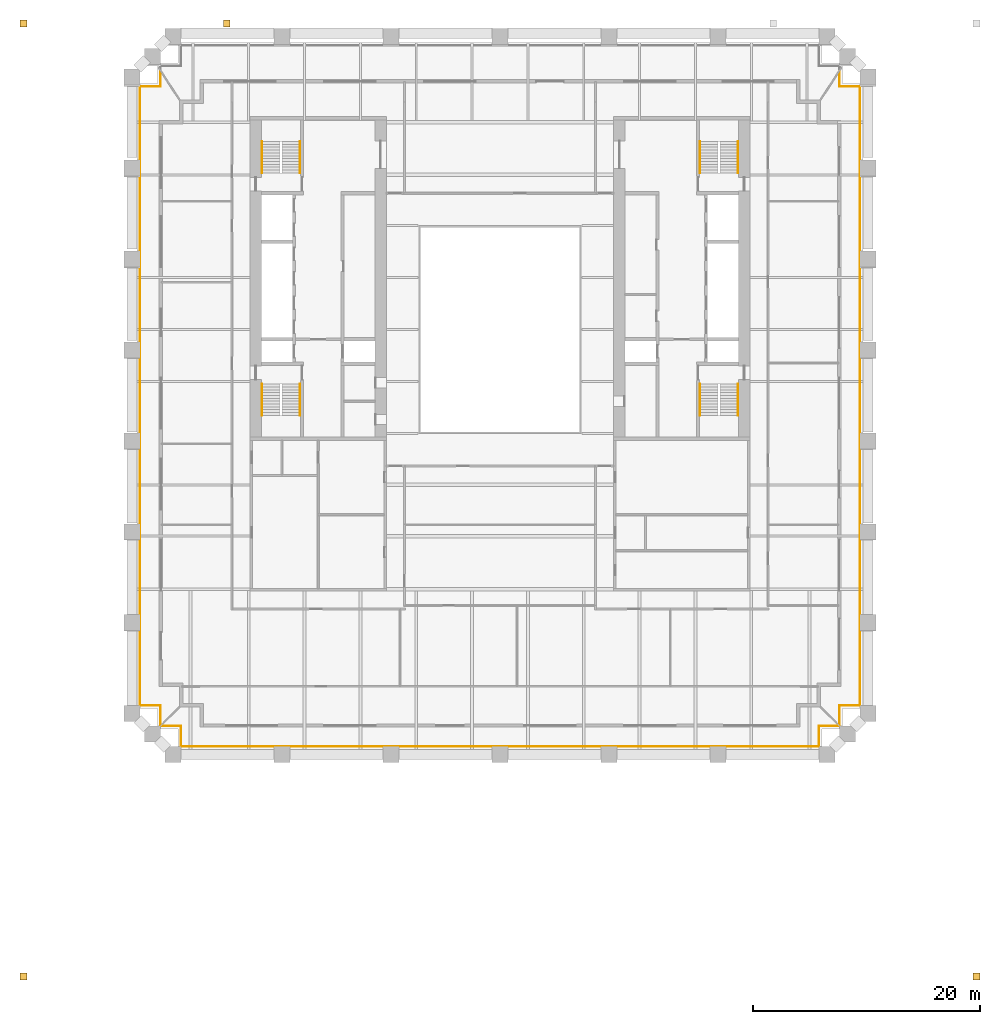
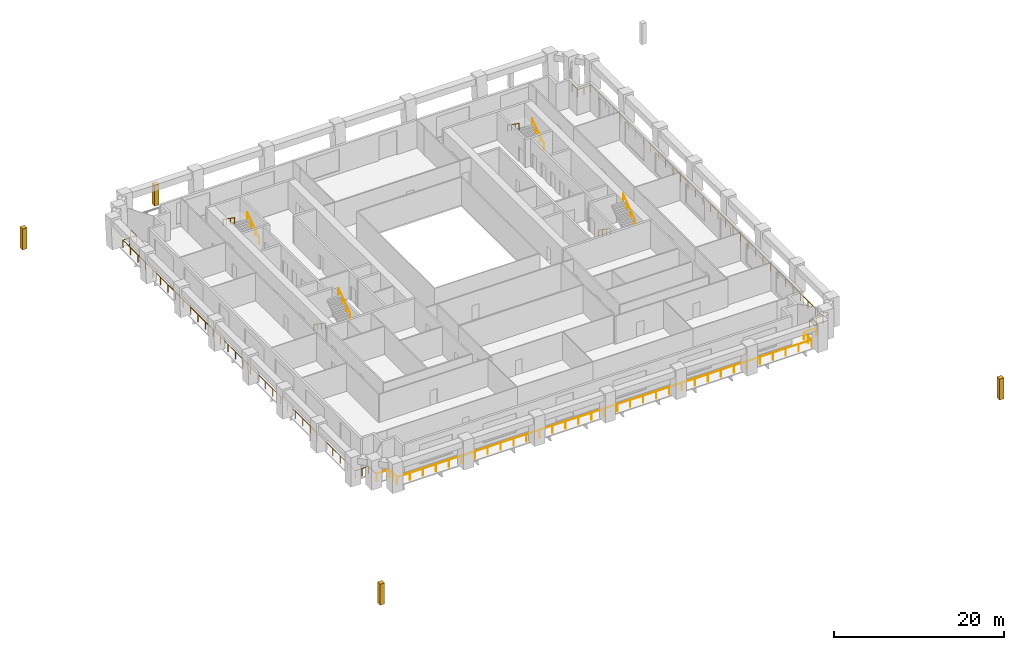
# One storey, part 9 of 10: 11 railings, 4 coverings.
"""IFC4 building model written with IfcOpenShell, lengths in metres."""

from ifc_helpers import new_model, si_unit, direction, frame, origin, origin_2d, place, context, subcontext, project, spatial, rectangle, circle, extrude, material, material_profile, profile_set, type_object, element, save


model = new_model("IFC4")

# Units and contexts
model_context = context("Model", 3, precision=1e-05, world=origin(), true_north=direction((0.0, 1.0)))
body_context = subcontext(model_context, "Body", "Model", "MODEL_VIEW")
ifc_project = project(units=[si_unit("LENGTHUNIT", "METRE"), si_unit("AREAUNIT", "SQUARE_METRE"), si_unit("VOLUMEUNIT", "CUBIC_METRE"), si_unit("PLANEANGLEUNIT", "RADIAN"), si_unit("MASSUNIT", "GRAM", prefix="KILO")], contexts=[model_context])

# Site, building, storey
site_placement = place(None, origin())
site = spatial("IfcSite", under=ifc_project, at=site_placement, CompositionType="ELEMENT")
building_placement = place(site_placement, origin())
building = spatial("IfcBuilding", under=site, at=building_placement, Name="Ogive Exchange Tower", CompositionType="ELEMENT")
storey_placement = place(building_placement, frame((0.0, 0.0, 48.0)))
storey = spatial("IfcBuildingStorey", under=building, at=storey_placement, Name="L09", CompositionType="ELEMENT", Elevation=48.0)

# Railings
ifc_material_1 = material(Name="Stainless steel 316", Category="steel")
railing_type_1 = type_object("IfcRailingType", Name="Guard 1100 stainless steel and glass", PredefinedType="GUARDRAIL", material=ifc_material_1)
railing_1_placement = place(storey_placement, frame((29.7880859375, -27.8798828125, -0.050048828125)))
element("IfcRailing", 1, at=railing_1_placement, inside=storey, type_object=railing_type_1, Name="Loggia guard 1", PredefinedType="GUARDRAIL", context=body_context, shape_type="SweptSolid", body=[
    extrude(circle(Radius=0.02392578125, at=origin_2d()), frame((0.0, 0.0, 1.076171875), z_axis=(-1.0, 0.0, 0.0), x_axis=(0.0, -1.0, 0.0)), (0.0, 0.0, 1.0), 1.7080078125),
    extrude(circle(Radius=0.02392578125, at=origin_2d()), frame((-1.7080078125, 0.0, 1.076171875), z_axis=(0.0, -1.0, 0.0), x_axis=(1.0, 0.0, 0.0)), (0.0, 0.0, 1.0), 1.800048828125),
    extrude(circle(Radius=0.02392578125, at=origin_2d()), frame((-1.7080078125, -1.800048828125, 1.076171875), z_axis=(-1.0, 0.0, 0.0), x_axis=(0.0, -1.0, 0.0)), (0.0, 0.0, 1.0), 56.16015625),
    extrude(circle(Radius=0.02392578125, at=origin_2d()), frame((-57.8681640625, -1.800048828125, 1.076171875), z_axis=(0.0, 1.0, 0.0), x_axis=(-1.0, 0.0, 0.0)), (0.0, 0.0, 1.0), 1.800048828125),
    extrude(circle(Radius=0.02392578125, at=origin_2d()), frame((-57.8681640625, 0.0, 1.076171875), z_axis=(-1.0, 0.0, 0.0), x_axis=(0.0, -1.0, 0.0)), (0.0, 0.0, 1.0), 1.7080078125),
    extrude(circle(Radius=0.02099609375, at=origin_2d()), origin(), (0.0, 0.0, 1.0), 1.052001953125),
    extrude(circle(Radius=0.02099609375, at=origin_2d()), frame((-1.7080078125, 0.0, 0.0)), (0.0, 0.0, 1.0), 1.052001953125),
    extrude(circle(Radius=0.02099609375, at=origin_2d()), frame((-1.7080078125, -0.89990234375, 0.0)), (0.0, 0.0, 1.0), 1.052001953125),
    extrude(circle(Radius=0.02099609375, at=origin_2d()), frame((-1.7080078125, -1.800048828125, 0.0)), (0.0, 0.0, 1.0), 1.052001953125),
    extrude(circle(Radius=0.02099609375, at=origin_2d()), frame((-3.462890625, -1.800048828125, 0.0)), (0.0, 0.0, 1.0), 1.052001953125),
    extrude(circle(Radius=0.02099609375, at=origin_2d()), frame((-5.218017578125, -1.800048828125, 0.0)), (0.0, 0.0, 1.0), 1.052001953125),
    extrude(circle(Radius=0.02099609375, at=origin_2d()), frame((-6.97314453125, -1.800048828125, 0.0)), (0.0, 0.0, 1.0), 1.052001953125),
    extrude(circle(Radius=0.02099609375, at=origin_2d()), frame((-8.72802734375, -1.800048828125, 0.0)), (0.0, 0.0, 1.0), 1.052001953125),
    extrude(circle(Radius=0.02099609375, at=origin_2d()), frame((-10.48291015625, -1.800048828125, 0.0)), (0.0, 0.0, 1.0), 1.052001953125),
    extrude(circle(Radius=0.02099609375, at=origin_2d()), frame((-12.238037109375, -1.800048828125, 0.0)), (0.0, 0.0, 1.0), 1.052001953125),
    extrude(circle(Radius=0.02099609375, at=origin_2d()), frame((-13.9931640625, -1.800048828125, 0.0)), (0.0, 0.0, 1.0), 1.052001953125),
    extrude(circle(Radius=0.02099609375, at=origin_2d()), frame((-15.748046875, -1.800048828125, 0.0)), (0.0, 0.0, 1.0), 1.052001953125),
    extrude(circle(Radius=0.02099609375, at=origin_2d()), frame((-17.5029296875, -1.800048828125, 0.0)), (0.0, 0.0, 1.0), 1.052001953125),
    extrude(circle(Radius=0.02099609375, at=origin_2d()), frame((-19.258056640625, -1.800048828125, 0.0)), (0.0, 0.0, 1.0), 1.052001953125),
    extrude(circle(Radius=0.02099609375, at=origin_2d()), frame((-21.01318359375, -1.800048828125, 0.0)), (0.0, 0.0, 1.0), 1.052001953125),
    extrude(circle(Radius=0.02099609375, at=origin_2d()), frame((-22.76806640625, -1.800048828125, 0.0)), (0.0, 0.0, 1.0), 1.052001953125),
    extrude(circle(Radius=0.02099609375, at=origin_2d()), frame((-24.52294921875, -1.800048828125, 0.0)), (0.0, 0.0, 1.0), 1.052001953125),
    extrude(circle(Radius=0.02099609375, at=origin_2d()), frame((-26.278076171875, -1.800048828125, 0.0)), (0.0, 0.0, 1.0), 1.052001953125),
    extrude(circle(Radius=0.02099609375, at=origin_2d()), frame((-28.033203125, -1.800048828125, 0.0)), (0.0, 0.0, 1.0), 1.052001953125),
    extrude(circle(Radius=0.02099609375, at=origin_2d()), frame((-29.7880859375, -1.800048828125, 0.0)), (0.0, 0.0, 1.0), 1.052001953125),
    extrude(circle(Radius=0.02099609375, at=origin_2d()), frame((-31.54296875, -1.800048828125, 0.0)), (0.0, 0.0, 1.0), 1.052001953125),
    extrude(circle(Radius=0.02099609375, at=origin_2d()), frame((-33.298095703125, -1.800048828125, 0.0)), (0.0, 0.0, 1.0), 1.052001953125),
    extrude(circle(Radius=0.02099609375, at=origin_2d()), frame((-35.05322265625, -1.800048828125, 0.0)), (0.0, 0.0, 1.0), 1.052001953125),
    extrude(circle(Radius=0.02099609375, at=origin_2d()), frame((-36.80810546875, -1.800048828125, 0.0)), (0.0, 0.0, 1.0), 1.052001953125),
    extrude(circle(Radius=0.02099609375, at=origin_2d()), frame((-38.56298828125, -1.800048828125, 0.0)), (0.0, 0.0, 1.0), 1.052001953125),
    extrude(circle(Radius=0.02099609375, at=origin_2d()), frame((-40.318115234375, -1.800048828125, 0.0)), (0.0, 0.0, 1.0), 1.052001953125),
    extrude(circle(Radius=0.02099609375, at=origin_2d()), frame((-42.0732421875, -1.800048828125, 0.0)), (0.0, 0.0, 1.0), 1.052001953125),
    extrude(circle(Radius=0.02099609375, at=origin_2d()), frame((-43.828125, -1.800048828125, 0.0)), (0.0, 0.0, 1.0), 1.052001953125),
    extrude(circle(Radius=0.02099609375, at=origin_2d()), frame((-45.5830078125, -1.800048828125, 0.0)), (0.0, 0.0, 1.0), 1.052001953125),
    extrude(circle(Radius=0.02099609375, at=origin_2d()), frame((-47.338134765625, -1.800048828125, 0.0)), (0.0, 0.0, 1.0), 1.052001953125),
    extrude(circle(Radius=0.02099609375, at=origin_2d()), frame((-49.09326171875, -1.800048828125, 0.0)), (0.0, 0.0, 1.0), 1.052001953125),
    extrude(circle(Radius=0.02099609375, at=origin_2d()), frame((-50.84814453125, -1.800048828125, 0.0)), (0.0, 0.0, 1.0), 1.052001953125),
    extrude(circle(Radius=0.02099609375, at=origin_2d()), frame((-52.60302734375, -1.800048828125, 0.0)), (0.0, 0.0, 1.0), 1.052001953125),
    extrude(circle(Radius=0.02099609375, at=origin_2d()), frame((-54.358154296875, -1.800048828125, 0.0)), (0.0, 0.0, 1.0), 1.052001953125),
    extrude(circle(Radius=0.02099609375, at=origin_2d()), frame((-56.11328125, -1.800048828125, 0.0)), (0.0, 0.0, 1.0), 1.052001953125),
    extrude(circle(Radius=0.02099609375, at=origin_2d()), frame((-57.8681640625, -1.800048828125, 0.0)), (0.0, 0.0, 1.0), 1.052001953125),
    extrude(circle(Radius=0.02099609375, at=origin_2d()), frame((-57.8681640625, -0.89990234375, 0.0)), (0.0, 0.0, 1.0), 1.052001953125),
    extrude(circle(Radius=0.02099609375, at=origin_2d()), frame((-57.8681640625, 0.0, 0.0)), (0.0, 0.0, 1.0), 1.052001953125),
    extrude(circle(Radius=0.02099609375, at=origin_2d()), frame((-59.576171875, 0.0, 0.0)), (0.0, 0.0, 1.0), 1.052001953125),
])
railing_2_placement = place(storey_placement, frame((-29.8798828125, -27.7880859375, -0.050048828125)))
element("IfcRailing", 2, at=railing_2_placement, inside=storey, type_object=railing_type_1, Name="Loggia guard 2", PredefinedType="GUARDRAIL", context=body_context, shape_type="SweptSolid", body=[
    extrude(circle(Radius=0.02392578125, at=origin_2d()), frame((0.0, 0.0, 1.076171875), z_axis=(0.0, 1.0, 0.0), x_axis=(-1.0, 0.0, 0.0)), (0.0, 0.0, 1.0), 1.7080078125),
    extrude(circle(Radius=0.02392578125, at=origin_2d()), frame((0.0, 1.7080078125, 1.076171875), z_axis=(-1.0, 0.0, 0.0), x_axis=(0.0, -1.0, 0.0)), (0.0, 0.0, 1.0), 1.800048828125),
    extrude(circle(Radius=0.02392578125, at=origin_2d()), frame((-1.800048828125, 1.7080078125, 1.076171875), z_axis=(0.0, 1.0, 0.0), x_axis=(-1.0, 0.0, 0.0)), (0.0, 0.0, 1.0), 54.46923828125),
    extrude(circle(Radius=0.02392578125, at=origin_2d()), frame((-1.800048828125, 56.17724609375, 1.076171875), z_axis=(1.0, 0.0, 0.0), x_axis=(0.0, 1.0, 0.0)), (0.0, 0.0, 1.0), 1.800048828125),
    extrude(circle(Radius=0.02392578125, at=origin_2d()), frame((0.0, 56.17724609375, 1.076171875), z_axis=(0.0, 1.0, 0.0), x_axis=(-1.0, 0.0, 0.0)), (0.0, 0.0, 1.0), 1.28759765625),
    extrude(circle(Radius=0.02099609375, at=origin_2d()), origin(), (0.0, 0.0, 1.0), 1.052001953125),
    extrude(circle(Radius=0.02099609375, at=origin_2d()), frame((0.0, 1.7080078125, 0.0)), (0.0, 0.0, 1.0), 1.052001953125),
    extrude(circle(Radius=0.02099609375, at=origin_2d()), frame((-0.89990234375, 1.7080078125, 0.0)), (0.0, 0.0, 1.0), 1.052001953125),
    extrude(circle(Radius=0.02099609375, at=origin_2d()), frame((-1.800048828125, 1.7080078125, 0.0)), (0.0, 0.0, 1.0), 1.052001953125),
    extrude(circle(Radius=0.02099609375, at=origin_2d()), frame((-1.800048828125, 3.465087890625, 0.0)), (0.0, 0.0, 1.0), 1.052001953125),
    extrude(circle(Radius=0.02099609375, at=origin_2d()), frame((-1.800048828125, 5.22216796875, 0.0)), (0.0, 0.0, 1.0), 1.052001953125),
    extrude(circle(Radius=0.02099609375, at=origin_2d()), frame((-1.800048828125, 6.979248046875, 0.0)), (0.0, 0.0, 1.0), 1.052001953125),
    extrude(circle(Radius=0.02099609375, at=origin_2d()), frame((-1.800048828125, 8.736328125, 0.0)), (0.0, 0.0, 1.0), 1.052001953125),
    extrude(circle(Radius=0.02099609375, at=origin_2d()), frame((-1.800048828125, 10.493408203125, 0.0)), (0.0, 0.0, 1.0), 1.052001953125),
    extrude(circle(Radius=0.02099609375, at=origin_2d()), frame((-1.800048828125, 12.25048828125, 0.0)), (0.0, 0.0, 1.0), 1.052001953125),
    extrude(circle(Radius=0.02099609375, at=origin_2d()), frame((-1.800048828125, 14.007568359375, 0.0)), (0.0, 0.0, 1.0), 1.052001953125),
    extrude(circle(Radius=0.02099609375, at=origin_2d()), frame((-1.800048828125, 15.7646484375, 0.0)), (0.0, 0.0, 1.0), 1.052001953125),
    extrude(circle(Radius=0.02099609375, at=origin_2d()), frame((-1.800048828125, 17.521728515625, 0.0)), (0.0, 0.0, 1.0), 1.052001953125),
    extrude(circle(Radius=0.02099609375, at=origin_2d()), frame((-1.800048828125, 19.27880859375, 0.0)), (0.0, 0.0, 1.0), 1.052001953125),
    extrude(circle(Radius=0.02099609375, at=origin_2d()), frame((-1.800048828125, 21.035888671875, 0.0)), (0.0, 0.0, 1.0), 1.052001953125),
    extrude(circle(Radius=0.02099609375, at=origin_2d()), frame((-1.800048828125, 22.79296875, 0.0)), (0.0, 0.0, 1.0), 1.052001953125),
    extrude(circle(Radius=0.02099609375, at=origin_2d()), frame((-1.800048828125, 24.550048828125, 0.0)), (0.0, 0.0, 1.0), 1.052001953125),
    extrude(circle(Radius=0.02099609375, at=origin_2d()), frame((-1.800048828125, 26.30712890625, 0.0)), (0.0, 0.0, 1.0), 1.052001953125),
    extrude(circle(Radius=0.02099609375, at=origin_2d()), frame((-1.800048828125, 28.064208984375, 0.0)), (0.0, 0.0, 1.0), 1.052001953125),
    extrude(circle(Radius=0.02099609375, at=origin_2d()), frame((-1.800048828125, 29.821044921875, 0.0)), (0.0, 0.0, 1.0), 1.052001953125),
    extrude(circle(Radius=0.02099609375, at=origin_2d()), frame((-1.800048828125, 31.578125, 0.0)), (0.0, 0.0, 1.0), 1.052001953125),
    extrude(circle(Radius=0.02099609375, at=origin_2d()), frame((-1.800048828125, 33.335205078125, 0.0)), (0.0, 0.0, 1.0), 1.052001953125),
    extrude(circle(Radius=0.02099609375, at=origin_2d()), frame((-1.800048828125, 35.09228515625, 0.0)), (0.0, 0.0, 1.0), 1.052001953125),
    extrude(circle(Radius=0.02099609375, at=origin_2d()), frame((-1.800048828125, 36.849365234375, 0.0)), (0.0, 0.0, 1.0), 1.052001953125),
    extrude(circle(Radius=0.02099609375, at=origin_2d()), frame((-1.800048828125, 38.6064453125, 0.0)), (0.0, 0.0, 1.0), 1.052001953125),
    extrude(circle(Radius=0.02099609375, at=origin_2d()), frame((-1.800048828125, 40.363525390625, 0.0)), (0.0, 0.0, 1.0), 1.052001953125),
    extrude(circle(Radius=0.02099609375, at=origin_2d()), frame((-1.800048828125, 42.12060546875, 0.0)), (0.0, 0.0, 1.0), 1.052001953125),
    extrude(circle(Radius=0.02099609375, at=origin_2d()), frame((-1.800048828125, 43.877685546875, 0.0)), (0.0, 0.0, 1.0), 1.052001953125),
    extrude(circle(Radius=0.02099609375, at=origin_2d()), frame((-1.800048828125, 45.634765625, 0.0)), (0.0, 0.0, 1.0), 1.052001953125),
    extrude(circle(Radius=0.02099609375, at=origin_2d()), frame((-1.800048828125, 47.391845703125, 0.0)), (0.0, 0.0, 1.0), 1.052001953125),
    extrude(circle(Radius=0.02099609375, at=origin_2d()), frame((-1.800048828125, 49.14892578125, 0.0)), (0.0, 0.0, 1.0), 1.052001953125),
    extrude(circle(Radius=0.02099609375, at=origin_2d()), frame((-1.800048828125, 50.906005859375, 0.0)), (0.0, 0.0, 1.0), 1.052001953125),
    extrude(circle(Radius=0.02099609375, at=origin_2d()), frame((-1.800048828125, 52.6630859375, 0.0)), (0.0, 0.0, 1.0), 1.052001953125),
    extrude(circle(Radius=0.02099609375, at=origin_2d()), frame((-1.800048828125, 54.420166015625, 0.0)), (0.0, 0.0, 1.0), 1.052001953125),
    extrude(circle(Radius=0.02099609375, at=origin_2d()), frame((-1.800048828125, 56.17724609375, 0.0)), (0.0, 0.0, 1.0), 1.052001953125),
    extrude(circle(Radius=0.02099609375, at=origin_2d()), frame((-0.89990234375, 56.17724609375, 0.0)), (0.0, 0.0, 1.0), 1.052001953125),
    extrude(circle(Radius=0.02099609375, at=origin_2d()), frame((0.0, 56.17724609375, 0.0)), (0.0, 0.0, 1.0), 1.052001953125),
    extrude(circle(Radius=0.02099609375, at=origin_2d()), frame((0.0, 57.46484375, 0.0)), (0.0, 0.0, 1.0), 1.052001953125),
])
railing_3_placement = place(storey_placement, frame((29.8798828125, 29.6767578125, -0.050048828125)))
element("IfcRailing", 3, at=railing_3_placement, inside=storey, type_object=railing_type_1, Name="Loggia guard 4", PredefinedType="GUARDRAIL", context=body_context, shape_type="SweptSolid", body=[
    extrude(circle(Radius=0.02392578125, at=origin_2d()), frame((0.0, 0.0, 1.076171875), z_axis=(0.0, -1.0, 0.0), x_axis=(1.0, 0.0, 0.0)), (0.0, 0.0, 1.0), 1.28759765625),
    extrude(circle(Radius=0.02392578125, at=origin_2d()), frame((0.0, -1.28759765625, 1.076171875), z_axis=(1.0, 0.0, 0.0), x_axis=(0.0, 1.0, 0.0)), (0.0, 0.0, 1.0), 1.800048828125),
    extrude(circle(Radius=0.02392578125, at=origin_2d()), frame((1.800048828125, -1.28759765625, 1.076171875), z_axis=(0.0, -1.0, 0.0), x_axis=(1.0, 0.0, 0.0)), (0.0, 0.0, 1.0), 54.46923828125),
    extrude(circle(Radius=0.02392578125, at=origin_2d()), frame((1.800048828125, -55.7568359375, 1.076171875), z_axis=(-1.0, 0.0, 0.0), x_axis=(0.0, -1.0, 0.0)), (0.0, 0.0, 1.0), 1.800048828125),
    extrude(circle(Radius=0.02392578125, at=origin_2d()), frame((0.0, -55.7568359375, 1.076171875), z_axis=(0.0, -1.0, 0.0), x_axis=(1.0, 0.0, 0.0)), (0.0, 0.0, 1.0), 1.7080078125),
    extrude(circle(Radius=0.02099609375, at=origin_2d()), origin(), (0.0, 0.0, 1.0), 1.052001953125),
    extrude(circle(Radius=0.02099609375, at=origin_2d()), frame((0.0, -1.28759765625, 0.0)), (0.0, 0.0, 1.0), 1.052001953125),
    extrude(circle(Radius=0.02099609375, at=origin_2d()), frame((0.89990234375, -1.28759765625, 0.0)), (0.0, 0.0, 1.0), 1.052001953125),
    extrude(circle(Radius=0.02099609375, at=origin_2d()), frame((1.800048828125, -1.28759765625, 0.0)), (0.0, 0.0, 1.0), 1.052001953125),
    extrude(circle(Radius=0.02099609375, at=origin_2d()), frame((1.800048828125, -3.044677734375, 0.0)), (0.0, 0.0, 1.0), 1.052001953125),
    extrude(circle(Radius=0.02099609375, at=origin_2d()), frame((1.800048828125, -4.8017578125, 0.0)), (0.0, 0.0, 1.0), 1.052001953125),
    extrude(circle(Radius=0.02099609375, at=origin_2d()), frame((1.800048828125, -6.558837890625, 0.0)), (0.0, 0.0, 1.0), 1.052001953125),
    extrude(circle(Radius=0.02099609375, at=origin_2d()), frame((1.800048828125, -8.31591796875, 0.0)), (0.0, 0.0, 1.0), 1.052001953125),
    extrude(circle(Radius=0.02099609375, at=origin_2d()), frame((1.800048828125, -10.072998046875, 0.0)), (0.0, 0.0, 1.0), 1.052001953125),
    extrude(circle(Radius=0.02099609375, at=origin_2d()), frame((1.800048828125, -11.830078125, 0.0)), (0.0, 0.0, 1.0), 1.052001953125),
    extrude(circle(Radius=0.02099609375, at=origin_2d()), frame((1.800048828125, -13.587158203125, 0.0)), (0.0, 0.0, 1.0), 1.052001953125),
    extrude(circle(Radius=0.02099609375, at=origin_2d()), frame((1.800048828125, -15.34423828125, 0.0)), (0.0, 0.0, 1.0), 1.052001953125),
    extrude(circle(Radius=0.02099609375, at=origin_2d()), frame((1.800048828125, -17.101318359375, 0.0)), (0.0, 0.0, 1.0), 1.052001953125),
    extrude(circle(Radius=0.02099609375, at=origin_2d()), frame((1.800048828125, -18.8583984375, 0.0)), (0.0, 0.0, 1.0), 1.052001953125),
    extrude(circle(Radius=0.02099609375, at=origin_2d()), frame((1.800048828125, -20.615478515625, 0.0)), (0.0, 0.0, 1.0), 1.052001953125),
    extrude(circle(Radius=0.02099609375, at=origin_2d()), frame((1.800048828125, -22.37255859375, 0.0)), (0.0, 0.0, 1.0), 1.052001953125),
    extrude(circle(Radius=0.02099609375, at=origin_2d()), frame((1.800048828125, -24.129638671875, 0.0)), (0.0, 0.0, 1.0), 1.052001953125),
    extrude(circle(Radius=0.02099609375, at=origin_2d()), frame((1.800048828125, -25.88671875, 0.0)), (0.0, 0.0, 1.0), 1.052001953125),
    extrude(circle(Radius=0.02099609375, at=origin_2d()), frame((1.800048828125, -27.643798828125, 0.0)), (0.0, 0.0, 1.0), 1.052001953125),
    extrude(circle(Radius=0.02099609375, at=origin_2d()), frame((1.800048828125, -29.400634765625, 0.0)), (0.0, 0.0, 1.0), 1.052001953125),
    extrude(circle(Radius=0.02099609375, at=origin_2d()), frame((1.800048828125, -31.15771484375, 0.0)), (0.0, 0.0, 1.0), 1.052001953125),
    extrude(circle(Radius=0.02099609375, at=origin_2d()), frame((1.800048828125, -32.914794921875, 0.0)), (0.0, 0.0, 1.0), 1.052001953125),
    extrude(circle(Radius=0.02099609375, at=origin_2d()), frame((1.800048828125, -34.671875, 0.0)), (0.0, 0.0, 1.0), 1.052001953125),
    extrude(circle(Radius=0.02099609375, at=origin_2d()), frame((1.800048828125, -36.428955078125, 0.0)), (0.0, 0.0, 1.0), 1.052001953125),
    extrude(circle(Radius=0.02099609375, at=origin_2d()), frame((1.800048828125, -38.18603515625, 0.0)), (0.0, 0.0, 1.0), 1.052001953125),
    extrude(circle(Radius=0.02099609375, at=origin_2d()), frame((1.800048828125, -39.943115234375, 0.0)), (0.0, 0.0, 1.0), 1.052001953125),
    extrude(circle(Radius=0.02099609375, at=origin_2d()), frame((1.800048828125, -41.7001953125, 0.0)), (0.0, 0.0, 1.0), 1.052001953125),
    extrude(circle(Radius=0.02099609375, at=origin_2d()), frame((1.800048828125, -43.457275390625, 0.0)), (0.0, 0.0, 1.0), 1.052001953125),
    extrude(circle(Radius=0.02099609375, at=origin_2d()), frame((1.800048828125, -45.21435546875, 0.0)), (0.0, 0.0, 1.0), 1.052001953125),
    extrude(circle(Radius=0.02099609375, at=origin_2d()), frame((1.800048828125, -46.971435546875, 0.0)), (0.0, 0.0, 1.0), 1.052001953125),
    extrude(circle(Radius=0.02099609375, at=origin_2d()), frame((1.800048828125, -48.728515625, 0.0)), (0.0, 0.0, 1.0), 1.052001953125),
    extrude(circle(Radius=0.02099609375, at=origin_2d()), frame((1.800048828125, -50.485595703125, 0.0)), (0.0, 0.0, 1.0), 1.052001953125),
    extrude(circle(Radius=0.02099609375, at=origin_2d()), frame((1.800048828125, -52.24267578125, 0.0)), (0.0, 0.0, 1.0), 1.052001953125),
    extrude(circle(Radius=0.02099609375, at=origin_2d()), frame((1.800048828125, -53.999755859375, 0.0)), (0.0, 0.0, 1.0), 1.052001953125),
    extrude(circle(Radius=0.02099609375, at=origin_2d()), frame((1.800048828125, -55.7568359375, 0.0)), (0.0, 0.0, 1.0), 1.052001953125),
    extrude(circle(Radius=0.02099609375, at=origin_2d()), frame((0.89990234375, -55.7568359375, 0.0)), (0.0, 0.0, 1.0), 1.052001953125),
    extrude(circle(Radius=0.02099609375, at=origin_2d()), frame((0.0, -55.7568359375, 0.0)), (0.0, 0.0, 1.0), 1.052001953125),
    extrude(circle(Radius=0.02099609375, at=origin_2d()), frame((0.0, -57.46484375, 0.0)), (0.0, 0.0, 1.0), 1.052001953125),
])

# Coverings
ifc_material_2 = material(Name="Precast concrete C50/60", Category="concrete")
ifc_material_profile = material_profile(ifc_material_2, rectangle(XDim=0.60009765625, YDim=0.60009765625, at=origin_2d()), Name="CORNER TURRET 4 600 x 600")
ifc_profile_set = profile_set([ifc_material_profile], Name="Precast concrete C50/60")
covering_type = type_object("IfcCoveringType", Name="Precast corner turret stage 4 600 x 600 C50/60", PredefinedType="CLADDING", material=ifc_profile_set)
for number, where, z_axis, x_axis, name in (
    (4, (-24.050048828125, 33.949951171875, 0.10009765625), (0.0, 0.0, 1.0), (1.0, 0.0, 0.0), "Corner turret 3 stage 4"),
    (5, (-41.949951171875, 33.949951171875, 0.10009765625), (0.0, 0.0, 1.0), (1.0, 0.0, 0.0), "Corner turret 4 stage 4"),
    (6, (-41.949951171875, -49.949951171875, 0.10009765625), (0.0, 0.0, 1.0), (1.0, 0.0, 0.0), "Corner turret 5 stage 4"),
    (7, (41.949951171875, -49.949951171875, 0.10009765625), (0.0, 0.0, 1.0), (1.0, 0.0, 0.0), "Corner turret 6 stage 4"),
):
    element("IfcCovering", number, at=place(storey_placement, frame(where, z_axis=z_axis, x_axis=x_axis)), inside=storey, type_object=covering_type, Name=name, PredefinedType="CLADDING", context=body_context, shape_type="SweptSolid", body=[
        extrude(rectangle(XDim=0.60009765625, YDim=0.60009765625, at=origin_2d()), origin(), (0.0, 0.0, 1.0), 3.0),
    ])

# Railings
ifc_material_3 = material(Name="Stainless steel", Category="steel")
railing_type_2 = type_object("IfcRailingType", Name="Stair handrail 900", PredefinedType="HANDRAIL", material=ifc_material_3)
railing_4_placement = place(storey_placement, frame((-20.949951171875, 2.199951171875, 0.175048828125)))
element("IfcRailing", 8, at=railing_4_placement, inside=storey, type_object=railing_type_2, Name="L09 ST1 stair handrail 1", PredefinedType="HANDRAIL", context=body_context, shape_type="SweptSolid", body=[
    extrude(circle(Radius=0.02392578125, at=origin_2d()), frame((0.0, 0.0, 0.8759765625), z_axis=(0.0, -0.819225086817, 0.573472106672), x_axis=(1.0, 0.0, 0.0)), (0.0, 0.0, 1.0), 3.35693359375),
    extrude(circle(Radius=0.02099609375, at=origin_2d()), origin(), (0.0, 0.0, 1.0), 0.851806640625),
    extrude(circle(Radius=0.02099609375, at=origin_2d()), frame((0.0, -0.916748046875, 0.6416015625)), (0.0, 0.0, 1.0), 0.851806640625),
    extrude(circle(Radius=0.02099609375, at=origin_2d()), frame((0.0, -1.833251953125, 1.283447265625)), (0.0, 0.0, 1.0), 0.851806640625),
    extrude(circle(Radius=0.02099609375, at=origin_2d()), frame((0.0, -2.75, 1.925048828125)), (0.0, 0.0, 1.0), 0.851806640625),
])
for number, where, name in (
    (9, (-17.60009765625, -0.550048828125, 2.27490234375), "L09 ST1 stair handrail 2"),
    (10, (-17.60009765625, 20.800048828125, 0.175048828125), "L09 ST2 stair handrail 1"),
):
    element("IfcRailing", number, at=place(storey_placement, frame(where)), inside=storey, type_object=railing_type_2, Name=name, PredefinedType="HANDRAIL", context=body_context, shape_type="SweptSolid", body=[
        extrude(circle(Radius=0.02392578125, at=origin_2d()), frame((0.0, 0.0, 0.8759765625), z_axis=(0.0, 0.819225086817, 0.573472106672), x_axis=(-1.0, 0.0, 0.0)), (0.0, 0.0, 1.0), 3.35693359375),
        extrude(circle(Radius=0.02099609375, at=origin_2d()), origin(), (0.0, 0.0, 1.0), 0.851806640625),
        extrude(circle(Radius=0.02099609375, at=origin_2d()), frame((0.0, 0.916748046875, 0.6416015625)), (0.0, 0.0, 1.0), 0.851806640625),
        extrude(circle(Radius=0.02099609375, at=origin_2d()), frame((0.0, 1.833251953125, 1.283447265625)), (0.0, 0.0, 1.0), 0.851806640625),
        extrude(circle(Radius=0.02099609375, at=origin_2d()), frame((0.0, 2.75, 1.925048828125)), (0.0, 0.0, 1.0), 0.851806640625),
    ])
for number, where, name in (
    (11, (-20.949951171875, 23.550048828125, 2.27490234375), "L09 ST2 stair handrail 2"),
    (12, (17.60009765625, 2.199951171875, 0.175048828125), "L09 ST3 stair handrail 1"),
):
    element("IfcRailing", number, at=place(storey_placement, frame(where)), inside=storey, type_object=railing_type_2, Name=name, PredefinedType="HANDRAIL", context=body_context, shape_type="SweptSolid", body=[
        extrude(circle(Radius=0.02392578125, at=origin_2d()), frame((0.0, 0.0, 0.8759765625), z_axis=(0.0, -0.819225086817, 0.573472106672), x_axis=(1.0, 0.0, 0.0)), (0.0, 0.0, 1.0), 3.35693359375),
        extrude(circle(Radius=0.02099609375, at=origin_2d()), origin(), (0.0, 0.0, 1.0), 0.851806640625),
        extrude(circle(Radius=0.02099609375, at=origin_2d()), frame((0.0, -0.916748046875, 0.6416015625)), (0.0, 0.0, 1.0), 0.851806640625),
        extrude(circle(Radius=0.02099609375, at=origin_2d()), frame((0.0, -1.833251953125, 1.283447265625)), (0.0, 0.0, 1.0), 0.851806640625),
        extrude(circle(Radius=0.02099609375, at=origin_2d()), frame((0.0, -2.75, 1.925048828125)), (0.0, 0.0, 1.0), 0.851806640625),
    ])
for number, where, name in (
    (13, (20.949951171875, -0.550048828125, 2.27490234375), "L09 ST3 stair handrail 2"),
    (14, (20.949951171875, 20.800048828125, 0.175048828125), "L09 ST4 stair handrail 1"),
):
    element("IfcRailing", number, at=place(storey_placement, frame(where)), inside=storey, type_object=railing_type_2, Name=name, PredefinedType="HANDRAIL", context=body_context, shape_type="SweptSolid", body=[
        extrude(circle(Radius=0.02392578125, at=origin_2d()), frame((0.0, 0.0, 0.8759765625), z_axis=(0.0, 0.819225086817, 0.573472106672), x_axis=(-1.0, 0.0, 0.0)), (0.0, 0.0, 1.0), 3.35693359375),
        extrude(circle(Radius=0.02099609375, at=origin_2d()), origin(), (0.0, 0.0, 1.0), 0.851806640625),
        extrude(circle(Radius=0.02099609375, at=origin_2d()), frame((0.0, 0.916748046875, 0.6416015625)), (0.0, 0.0, 1.0), 0.851806640625),
        extrude(circle(Radius=0.02099609375, at=origin_2d()), frame((0.0, 1.833251953125, 1.283447265625)), (0.0, 0.0, 1.0), 0.851806640625),
        extrude(circle(Radius=0.02099609375, at=origin_2d()), frame((0.0, 2.75, 1.925048828125)), (0.0, 0.0, 1.0), 0.851806640625),
    ])
railing_5_placement = place(storey_placement, frame((17.60009765625, 23.550048828125, 2.27490234375)))
element("IfcRailing", 15, at=railing_5_placement, inside=storey, type_object=railing_type_2, Name="L09 ST4 stair handrail 2", PredefinedType="HANDRAIL", context=body_context, shape_type="SweptSolid", body=[
    extrude(circle(Radius=0.02392578125, at=origin_2d()), frame((0.0, 0.0, 0.8759765625), z_axis=(0.0, -0.819225086817, 0.573472106672), x_axis=(1.0, 0.0, 0.0)), (0.0, 0.0, 1.0), 3.35693359375),
    extrude(circle(Radius=0.02099609375, at=origin_2d()), origin(), (0.0, 0.0, 1.0), 0.851806640625),
    extrude(circle(Radius=0.02099609375, at=origin_2d()), frame((0.0, -0.916748046875, 0.6416015625)), (0.0, 0.0, 1.0), 0.851806640625),
    extrude(circle(Radius=0.02099609375, at=origin_2d()), frame((0.0, -1.833251953125, 1.283447265625)), (0.0, 0.0, 1.0), 0.851806640625),
    extrude(circle(Radius=0.02099609375, at=origin_2d()), frame((0.0, -2.75, 1.925048828125)), (0.0, 0.0, 1.0), 0.851806640625),
])

save(model, "model.ifc")
